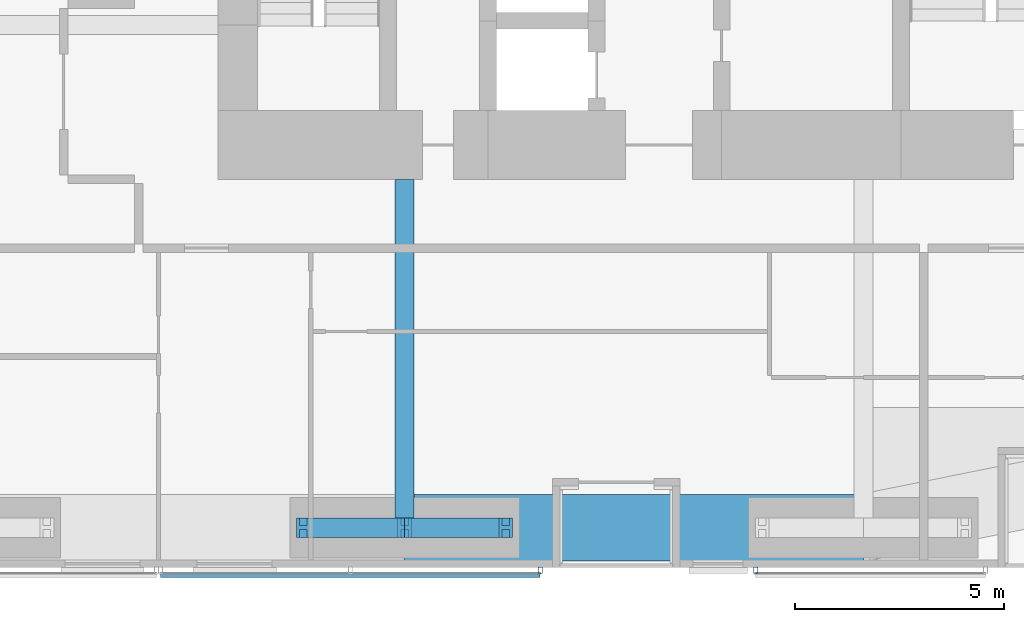
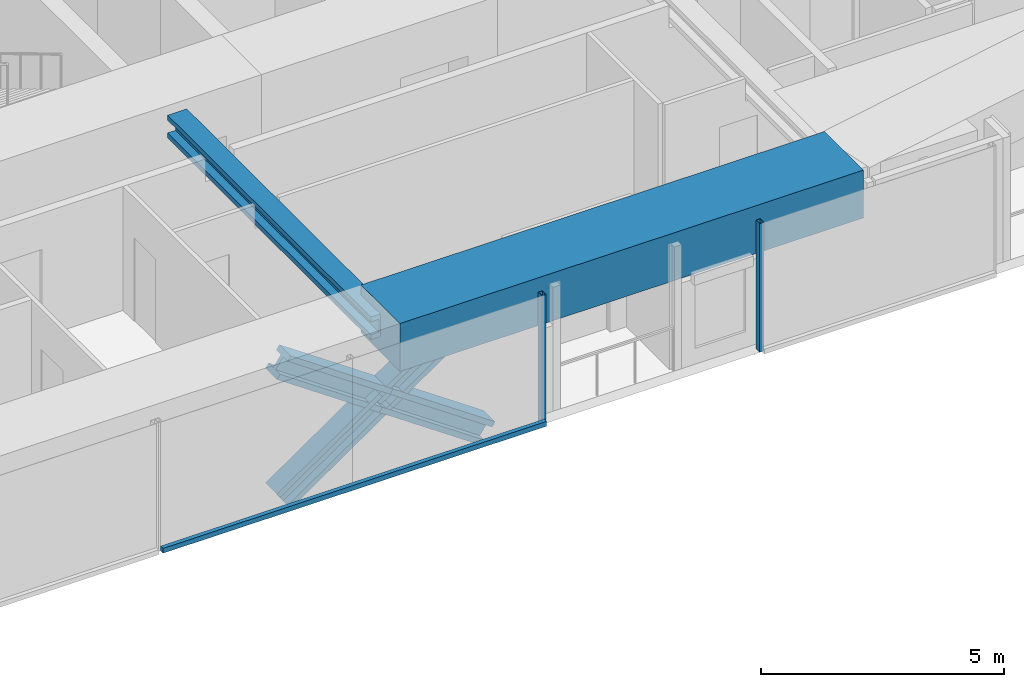
# One storey, part 5 of 24: 7 members, 2 beams, 2 elements without a shape of their own.
"""IFC4 building model written with IfcOpenShell, lengths in metres."""

from ifc_helpers import new_model, si_unit, direction, frame, origin, origin_2d, place, context, subcontext, project, spatial, rectangle, hollow_rectangle, i_section, extrude, material, material_profile, profile_set, type_object, element, aggregate, save


model = new_model("IFC4")

# Units and contexts
model_context = context("Model", 3, precision=1e-05, world=origin(), true_north=direction((0.0, 1.0)))
body_context = subcontext(model_context, "Body", "Model", "MODEL_VIEW")
ifc_project = project(units=[si_unit("LENGTHUNIT", "METRE"), si_unit("AREAUNIT", "SQUARE_METRE"), si_unit("VOLUMEUNIT", "CUBIC_METRE"), si_unit("PLANEANGLEUNIT", "RADIAN"), si_unit("MASSUNIT", "GRAM", prefix="KILO")], contexts=[model_context])

# Site, building, storey
site_placement = place(None, origin())
site = spatial("IfcSite", under=ifc_project, at=site_placement, CompositionType="ELEMENT")
building_placement = place(site_placement, origin())
building = spatial("IfcBuilding", under=site, at=building_placement, Name="Jalousie Tower", CompositionType="ELEMENT")
storey_placement = place(building_placement, frame((0.0, 0.0, 47.800048828125)))
storey = spatial("IfcBuildingStorey", under=building, at=storey_placement, Name="L12", CompositionType="ELEMENT", Elevation=47.800048828125)

# Beam
ifc_material_1 = material(Name="Steel ASTM A992 Grade 50", Category="steel")
ifc_material_profile_1 = material_profile(ifc_material_1, i_section(OverallWidth=0.45458984375, OverallDepth=0.569091796875, WebThickness=0.077880859375, FlangeThickness=0.124755859375, at=origin_2d()), Name="W14X730")
ifc_profile_set_1 = profile_set([ifc_material_profile_1], Name="Steel ASTM A992 Grade 50")
beam_type_1 = type_object("IfcBeamType", Name="LEAN COLLECTOR W14X730", PredefinedType="BEAM", material=ifc_profile_set_1)
beam_1_placement = place(storey_placement, frame((24.0, 0.949951171875, 2.825439453125), z_axis=(0.0, 1.0, 0.0), x_axis=(-1.0, 0.0, 0.0)))
element("IfcBeam", 1, at=beam_1_placement, inside=storey, type_object=beam_type_1, Name="Lean collector under L13", PredefinedType="BEAM", context=body_context, shape_type="SweptSolid", body=[
    extrude(i_section(OverallWidth=0.45458984375, OverallDepth=0.569091796875, WebThickness=0.077880859375, FlangeThickness=0.124755859375, at=origin_2d()), origin(), (0.0, 0.0, 1.0), 8.35009765625),
])

# Members
ifc_material_2 = material(Name="Steel ASTM A992 Grade 50", Category="steel")
ifc_material_profile_2 = material_profile(ifc_material_2, i_section(OverallWidth=0.472412109375, OverallDepth=0.5791015625, WebThickness=0.094970703125, FlangeThickness=0.1298828125, at=origin_2d()), Name="W14X808")
ifc_profile_set_2 = profile_set([ifc_material_profile_2], Name="Steel ASTM A992 Grade 50")
member_type_1 = type_object("IfcMemberType", Name="PERIMETER BRACE W14X808", PredefinedType="BRACE", material=ifc_profile_set_2)
for number, where, z_axis, x_axis, name in (
    (2, (21.574951171875, 0.949951171875, -0.60009765625), (0.822800062329, 0.0, 0.568330940062), (0.0, 1.0, 0.0), "Perimeter brace 03 L12 part 1"),
    (3, (24.0, 0.949951171875, 1.074951171875), (0.822800062329, 0.0, 0.568330940062), (0.0, 1.0, 0.0), "Perimeter brace 03 L12 part 2"),
    (4, (26.425048828125, 0.949951171875, -0.60009765625), (-0.822800062329, 0.0, 0.568330940062), (0.0, -1.0, 0.0), "Perimeter brace 03 L12 part 3"),
    (5, (24.0, 0.949951171875, 1.074951171875), (-0.822800062329, 0.0, 0.568330940062), (0.0, -1.0, 0.0), "Perimeter brace 03 L12 part 4"),
):
    element("IfcMember", number, at=place(storey_placement, frame(where, z_axis=z_axis, x_axis=x_axis)), inside=storey, type_object=member_type_1, Name=name, PredefinedType="BRACE", context=body_context, shape_type="SweptSolid", body=[
        extrude(i_section(OverallWidth=0.472412109375, OverallDepth=0.5791015625, WebThickness=0.094970703125, FlangeThickness=0.1298828125, at=origin_2d()), origin(), (0.0, 0.0, 1.0), 2.947265625),
    ])

# Beam
ifc_material_3 = material(Name="Concrete f'c 40 MPa", Category="concrete")
ifc_material_profile_3 = material_profile(ifc_material_3, rectangle(XDim=1.60009765625, YDim=1.199951171875, at=origin_2d()), Name="RC 1600x1200")
ifc_profile_set_3 = profile_set([ifc_material_profile_3], Name="Concrete f'c 40 MPa")
beam_type_2 = type_object("IfcBeamType", Name="RC BEAM 1600x1200", PredefinedType="BEAM", material=ifc_profile_set_3)
beam_2_placement = place(storey_placement, frame((24.0, 0.949951171875, 2.75), z_axis=(1.0, 0.0, 0.0), x_axis=(0.0, 1.0, 0.0)))
element("IfcBeam", 6, at=beam_2_placement, inside=storey, type_object=beam_type_2, Name="Edge band beam 03-04 under L13", PredefinedType="BEAM", context=body_context, shape_type="SweptSolid", body=[
    extrude(rectangle(XDim=1.60009765625, YDim=1.199951171875, at=origin_2d()), origin(), (0.0, 0.0, 1.0), 11.0),
])

# Curtain wall, member
ifc_material_4 = material(Name="Perforated aluminium sheet", Category="aluminium")
curtain_wall_type = type_object("IfcCurtainWallType", Name="SOLAR SCREEN SS-1", PredefinedType="USERDEFINED", material=ifc_material_4)
curtain_wall_1_placement = place(storey_placement, origin())
curtain_wall_1 = element("IfcCurtainWall", 7, at=curtain_wall_1_placement, inside=storey, type_object=curtain_wall_type, Name="Solar screen L12", ObjectType="SOLAR SCREEN SS-1", PredefinedType="USERDEFINED")
ifc_material_5 = material(Name="Steel ASTM A500 Grade C", Category="steel")
ifc_material_profile_4 = material_profile(ifc_material_5, hollow_rectangle(XDim=0.1015625, YDim=0.15234375, WallThickness=0.00634765625, at=origin_2d()), Name="HSS6X4X1/4")
ifc_profile_set_4 = profile_set([ifc_material_profile_4], Name="Steel ASTM A500 Grade C")
member_type_2 = type_object("IfcMemberType", Name="SOLAR SCREEN SS-1 MULLION", PredefinedType="MULLION", material=ifc_profile_set_4)
member_1_placement = place(storey_placement, frame((27.25, -0.0712890625, -0.1201171875), z_axis=(0.0, 0.0, 1.0), x_axis=(1.0, 0.0, 0.0)))
member_1 = element("IfcMember", 8, at=member_1_placement, type_object=member_type_2, Name="SS1 post 3", PredefinedType="MULLION", context=body_context, shape_type="SweptSolid", body=[
    extrude(hollow_rectangle(XDim=0.1015625, YDim=0.15234375, WallThickness=0.00634765625, at=origin_2d()), origin(), (0.0, 0.0, 1.0), 3.22998046875),
])

curtain_wall_2_placement = place(storey_placement, origin())
curtain_wall_2 = element("IfcCurtainWall", 9, at=curtain_wall_2_placement, inside=storey, type_object=curtain_wall_type, Name="Solar screen L12", ObjectType="SOLAR SCREEN SS-1", PredefinedType="USERDEFINED")
member_2_placement = place(storey_placement, frame((32.41748046875, -0.0712890625, -0.1201171875), z_axis=(0.0, 0.0, 1.0), x_axis=(1.0, 0.0, 0.0)))
member_2 = element("IfcMember", 10, at=member_2_placement, type_object=member_type_2, Name="SS1 post 1", PredefinedType="MULLION", context=body_context, shape_type="SweptSolid", body=[
    extrude(hollow_rectangle(XDim=0.1015625, YDim=0.15234375, WallThickness=0.00634765625, at=origin_2d()), origin(), (0.0, 0.0, 1.0), 3.22998046875),
])
aggregate(curtain_wall_2, [member_2])

# Member
ifc_material_6 = material(Name="Extruded aluminium screen rail", Category="aluminium")
ifc_material_profile_5 = material_profile(ifc_material_6, rectangle(XDim=0.1015625, YDim=0.1201171875, at=origin_2d()), Name="RAIL 102x120")
ifc_profile_set_5 = profile_set([ifc_material_profile_5], Name="Extruded aluminium screen rail")
member_type_3 = type_object("IfcMemberType", Name="SOLAR SCREEN SS-1 TRANSOM", PredefinedType="USERDEFINED", material=ifc_profile_set_5)
member_3_placement = place(storey_placement, frame((18.14990234375, -0.1982421875, -0.06005859375), z_axis=(1.0, 0.0, 0.0), x_axis=(0.0, 1.0, 0.0)))
member_3 = element("IfcMember", 11, at=member_3_placement, type_object=member_type_3, Name="SS1 rail", ObjectType="TRANSOM", PredefinedType="USERDEFINED", context=body_context, shape_type="SweptSolid", body=[
    extrude(rectangle(XDim=0.1015625, YDim=0.1201171875, at=origin_2d()), origin(), (0.0, 0.0, 1.0), 9.10009765625),
])

aggregate(curtain_wall_1, [member_1, member_3])

save(model, "model.ifc")
